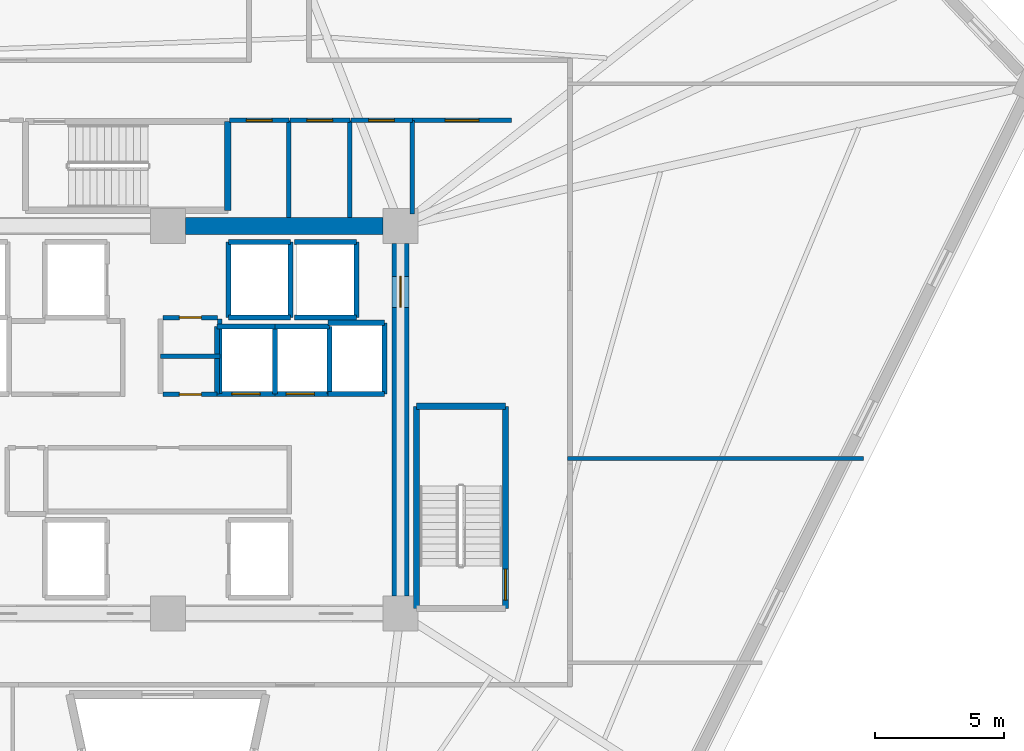
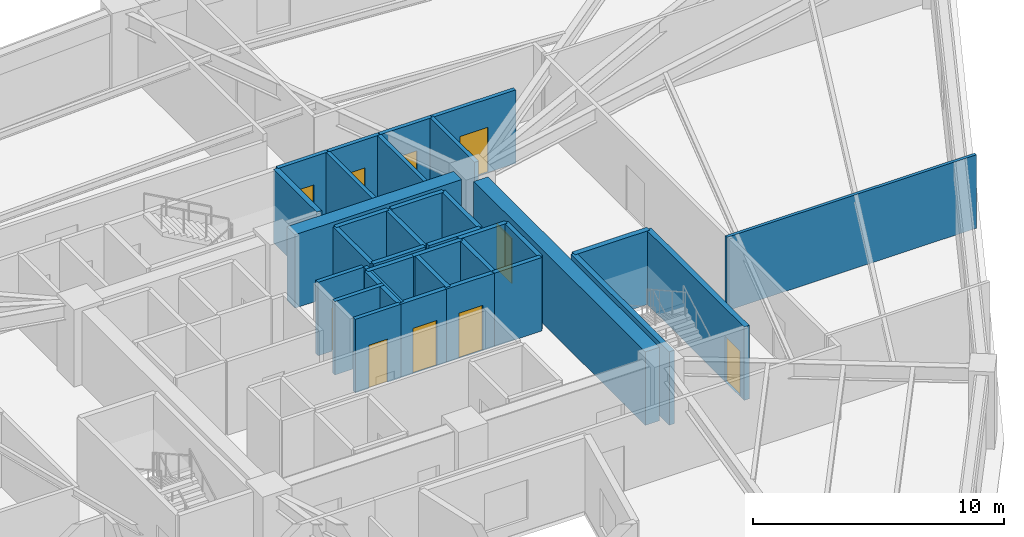
# One storey, part 6 of 8: 35 walls, 10 doors, 10 openings.
"""IFC4 building model written with IfcOpenShell, lengths in metres."""

from ifc_helpers import new_model, si_unit, direction, frame, frame_2d, origin, place, context, subcontext, project, spatial, rectangle, extrude, source, transform, mapped, material, layer, layer_set, type_object, element, fill, save


model = new_model("IFC4")

# Units and contexts
model_context = context("Model", 3, precision=1e-05, world=origin(), true_north=direction((0.0, 1.0)))
body_context = subcontext(model_context, "Body", "Model", "MODEL_VIEW")
ifc_project = project(units=[si_unit("LENGTHUNIT", "METRE"), si_unit("AREAUNIT", "SQUARE_METRE"), si_unit("VOLUMEUNIT", "CUBIC_METRE"), si_unit("PLANEANGLEUNIT", "RADIAN"), si_unit("MASSUNIT", "GRAM", prefix="KILO")], contexts=[model_context])

# Site, building, storey
site_placement = place(None, origin())
site = spatial("IfcSite", under=ifc_project, at=site_placement, CompositionType="ELEMENT")
building_placement = place(site_placement, origin())
building = spatial("IfcBuilding", under=site, at=building_placement, Name="Liaohun Quay Tower", CompositionType="ELEMENT")
storey_placement = place(building_placement, frame((0.0, 0.0, 220.5)))
storey = spatial("IfcBuildingStorey", under=building, at=storey_placement, Name="L57", CompositionType="ELEMENT", Elevation=220.5)

# Wall
ifc_material_1 = material(Name="Concrete C55", Category="concrete")
ifc_layer_1 = layer(ifc_material_1, 0.64990234375, Name="Concrete C55", Category="concrete")
ifc_layer_set_1 = layer_set([ifc_layer_1], Name="Concrete C55")
wall_type_1 = type_object("IfcWallType", Name="WAL-COR-Z3", PredefinedType="SHEAR", material=ifc_layer_set_1)
wall_1_placement = place(storey_placement, frame((60.675048828125, 61.5, 0.0), z_axis=(0.0, 0.0, 1.0), x_axis=(1.0, 0.0, 0.0)))
element("IfcWall", 1, at=wall_1_placement, inside=storey, type_object=wall_type_1, Name="L57 Central Core Shear Wall N-E", PredefinedType="SHEAR", context=body_context, shape_type="SweptSolid", body=[
    extrude(rectangle(XDim=7.64990234375, YDim=0.64990234375, at=frame_2d((3.824951171875, 0.0))), origin(), (0.0, 0.0, 1.0), 3.570068359375),
])

# Wall, opening, door
wall_2_placement = place(storey_placement, frame((69.0, 60.824951171875, 0.0), z_axis=(0.0, 0.0, 1.0), x_axis=(0.0, -1.0, 0.0)))
wall_2 = element("IfcWall", 2, at=wall_2_placement, inside=storey, type_object=wall_type_1, Name="L57 Central Core Shear Wall E", PredefinedType="SHEAR", context=body_context, shape_type="SweptSolid", body=[
    extrude(rectangle(XDim=13.64990234375, YDim=0.64990234375, at=frame_2d((6.824951171875, 0.0))), origin(), (0.0, 0.0, 1.0), 3.570068359375),
])
shared_shape_1 = source(origin(), body_context, "Body", "SweptSolid", [
    extrude(rectangle(XDim=1.199951171875, YDim=2.199951171875, at=frame_2d((0.60009765625, 1.10009765625))), frame((0.0, 0.3349609375, 0.0), z_axis=(0.0, -1.0, 0.0), x_axis=(1.0, 0.0, 0.0)), (0.0, 0.0, 1.0), 0.669921875),
])
opening_1_placement = place(wall_2_placement, frame((1.27490234375, 0.0, 0.0)))
opening_1 = element("IfcOpeningElement", 3, at=opening_1_placement, cuts=wall_2, Name="Opening SD1", PredefinedType="OPENING", context=body_context, shape_type="MappedRepresentation", body=[
    mapped(shared_shape_1, transform((0.0, 0.0, 0.0), x_axis=(1.0, 0.0, 0.0), y_axis=(0.0, 1.0, 0.0), z_axis=(0.0, 0.0, 1.0), scale=1.0)),
])
ifc_material_2 = material(Name="Galvanised steel fire door", Category="steel")
door_type_1 = type_object("IfcDoorType", Name="DOR-STR-1200", OperationType="NOTDEFINED", PredefinedType="DOOR", material=ifc_material_2)
shared_shape_2 = source(origin(), body_context, "Body", "SweptSolid", [
    extrude(rectangle(XDim=1.199951171875, YDim=2.199951171875, at=frame_2d((0.60009765625, 1.10009765625))), frame((0.0, 0.02490234375, 0.0), z_axis=(0.0, -1.0, 0.0), x_axis=(1.0, 0.0, 0.0)), (0.0, 0.0, 1.0), 0.050048828125),
])
door_1_placement = place(opening_1_placement, origin())
door_1 = element("IfcDoor", 4, at=door_1_placement, inside=storey, type_object=door_type_1, Name="L57 North-East Core Lobby Smokeproof Door", OperationType="SINGLE_SWING_LEFT", OverallHeight=2.199951171875, OverallWidth=1.199951171875, PredefinedType="DOOR", context=body_context, shape_type="MappedRepresentation", body=[
    mapped(shared_shape_2, transform((0.0, 0.0, 0.0), x_axis=(1.0, 0.0, 0.0), y_axis=(0.0, 1.0, 0.0), z_axis=(0.0, 0.0, 1.0), scale=1.0)),
])
fill(opening_1, door_1)

ifc_material_3 = material(Name="Autoclaved aerated concrete blockwork", Category="masonry")
ifc_layer_2 = layer(ifc_material_3, 0.179931640625, Name="Autoclaved aerated concrete blockwork", Category="masonry")
ifc_layer_set_2 = layer_set([ifc_layer_2], Name="Autoclaved aerated concrete blockwork")
wall_type_2 = type_object("IfcWallType", Name="WAL-PRT-COR", PredefinedType="PARTITIONING", material=ifc_layer_set_2)
wall_3_placement = place(storey_placement, frame((59.81005859375, 54.97998046875, 0.0), z_axis=(0.0, 0.0, 1.0), x_axis=(1.0, 0.0, 0.0)))
wall_3 = element("IfcWall", 5, at=wall_3_placement, inside=storey, type_object=wall_type_2, Name="L57 Interior Partition Wall 003", PredefinedType="PARTITIONING", context=body_context, shape_type="SweptSolid", body=[
    extrude(rectangle(XDim=2.08984375, YDim=0.179931640625, at=frame_2d((1.044921875, 0.0))), origin(), (0.0, 0.0, 1.0), 3.570068359375),
])
shared_shape_3 = source(origin(), body_context, "Body", "SweptSolid", [
    extrude(rectangle(XDim=0.85009765625, YDim=2.10009765625, at=frame_2d((0.425048828125, 1.050048828125))), frame((0.0, 0.099853515625, 0.0), z_axis=(0.0, -1.0, 0.0), x_axis=(1.0, 0.0, 0.0)), (0.0, 0.0, 1.0), 0.199951171875),
])
opening_2_placement = place(wall_3_placement, frame((0.635009765625, 0.0, 0.0)))
opening_2 = element("IfcOpeningElement", 6, at=opening_2_placement, cuts=wall_3, Name="Opening AD1", PredefinedType="OPENING", context=body_context, shape_type="MappedRepresentation", body=[
    mapped(shared_shape_3, transform((0.0, 0.0, 0.0), x_axis=(1.0, 0.0, 0.0), y_axis=(0.0, 1.0, 0.0), z_axis=(0.0, 0.0, 1.0), scale=1.0)),
])
ifc_material_4 = material(Name="Steel riser inspection fire door", Category="steel")
door_type_2 = type_object("IfcDoorType", Name="DOR-SHF-850", OperationType="NOTDEFINED", PredefinedType="DOOR", material=ifc_material_4)
shared_shape_4 = source(origin(), body_context, "Body", "SweptSolid", [
    extrude(rectangle(XDim=0.85009765625, YDim=2.10009765625, at=frame_2d((0.425048828125, 1.050048828125))), frame((0.0, 0.02490234375, 0.0), z_axis=(0.0, -1.0, 0.0), x_axis=(1.0, 0.0, 0.0)), (0.0, 0.0, 1.0), 0.050048828125),
])
door_2_placement = place(opening_2_placement, origin())
door_2 = element("IfcDoor", 7, at=door_2_placement, inside=storey, type_object=door_type_2, Name="L57 Electrical Riser Room Door", OperationType="SINGLE_SWING_RIGHT", OverallHeight=2.10009765625, OverallWidth=0.85009765625, PredefinedType="DOOR", context=body_context, shape_type="MappedRepresentation", body=[
    mapped(shared_shape_4, transform((0.0, 0.0, 0.0), x_axis=(1.0, 0.0, 0.0), y_axis=(0.0, 1.0, 0.0), z_axis=(0.0, 0.0, 1.0), scale=1.0)),
])
fill(opening_2, door_2)

wall_4_placement = place(storey_placement, frame((59.81005859375, 57.949951171875, 0.0), z_axis=(0.0, 0.0, 1.0), x_axis=(1.0, 0.0, 0.0)))
wall_4 = element("IfcWall", 8, at=wall_4_placement, inside=storey, type_object=wall_type_2, Name="L57 Interior Partition Wall 004", PredefinedType="PARTITIONING", context=body_context, shape_type="SweptSolid", body=[
    extrude(rectangle(XDim=2.10986328125, YDim=0.179931640625, at=frame_2d((1.054931640625, 0.0))), origin(), (0.0, 0.0, 1.0), 3.570068359375),
])
opening_3_placement = place(wall_4_placement, frame((0.635009765625, 0.0, 0.0)))
opening_3 = element("IfcOpeningElement", 9, at=opening_3_placement, cuts=wall_4, Name="Opening AD1", PredefinedType="OPENING", context=body_context, shape_type="MappedRepresentation", body=[
    mapped(shared_shape_3, transform((0.0, 0.0, 0.0), x_axis=(1.0, 0.0, 0.0), y_axis=(0.0, 1.0, 0.0), z_axis=(0.0, 0.0, 1.0), scale=1.0)),
])
door_3_placement = place(opening_3_placement, origin())
door_3 = element("IfcDoor", 10, at=door_3_placement, inside=storey, type_object=door_type_2, Name="L57 Telecom Comms Closet Door", OperationType="SINGLE_SWING_LEFT", OverallHeight=2.10009765625, OverallWidth=0.85009765625, PredefinedType="DOOR", context=body_context, shape_type="MappedRepresentation", body=[
    mapped(shared_shape_4, transform((0.0, 0.0, 0.0), x_axis=(1.0, 0.0, 0.0), y_axis=(0.0, 1.0, 0.0), z_axis=(0.0, 0.0, 1.0), scale=1.0)),
])
fill(opening_3, door_3)

wall_5_placement = place(storey_placement, frame((62.389892578125, 65.580078125, 0.0), z_axis=(0.0, 0.0, 1.0), x_axis=(1.0, 0.0, 0.0)))
wall_5 = element("IfcWall", 11, at=wall_5_placement, inside=storey, type_object=wall_type_2, Name="L57 Interior Partition Wall 011", PredefinedType="PARTITIONING", context=body_context, shape_type="SweptSolid", body=[
    extrude(rectangle(XDim=2.2900390625, YDim=0.179931640625, at=frame_2d((1.14501953125, 0.0))), origin(), (0.0, 0.0, 1.0), 3.570068359375),
])
shared_shape_5 = source(origin(), body_context, "Body", "SweptSolid", [
    extrude(rectangle(XDim=1.0, YDim=2.199951171875, at=frame_2d((0.5, 1.10009765625))), frame((0.0, 0.099853515625, 0.0), z_axis=(0.0, -1.0, 0.0), x_axis=(1.0, 0.0, 0.0)), (0.0, 0.0, 1.0), 0.199951171875),
])
opening_4_placement = place(wall_5_placement, frame((0.64501953125, 0.0, 0.0)))
opening_4 = element("IfcOpeningElement", 12, at=opening_4_placement, cuts=wall_5, Name="Opening OD1", PredefinedType="OPENING", context=body_context, shape_type="MappedRepresentation", body=[
    mapped(shared_shape_5, transform((0.0, 0.0, 0.0), x_axis=(1.0, 0.0, 0.0), y_axis=(0.0, 1.0, 0.0), z_axis=(0.0, 0.0, 1.0), scale=1.0)),
])
ifc_material_5 = material(Name="Solid-core oak veneer timber leaf in steel frame", Category="steel")
door_type_3 = type_object("IfcDoorType", Name="DOR-OFF-1000", OperationType="NOTDEFINED", PredefinedType="DOOR", material=ifc_material_5)
shared_shape_6 = source(origin(), body_context, "Body", "SweptSolid", [
    extrude(rectangle(XDim=1.0, YDim=2.199951171875, at=frame_2d((0.5, 1.10009765625))), frame((0.0, 0.02490234375, 0.0), z_axis=(0.0, -1.0, 0.0), x_axis=(1.0, 0.0, 0.0)), (0.0, 0.0, 1.0), 0.050048828125),
])
door_4_placement = place(opening_4_placement, origin())
door_4 = element("IfcDoor", 13, at=door_4_placement, inside=storey, type_object=door_type_3, Name="L57 North-East Mail Store Door", OperationType="SINGLE_SWING_RIGHT", OverallHeight=2.199951171875, OverallWidth=1.0, PredefinedType="DOOR", context=body_context, shape_type="MappedRepresentation", body=[
    mapped(shared_shape_6, transform((0.0, 0.0, 0.0), x_axis=(1.0, 0.0, 0.0), y_axis=(0.0, 1.0, 0.0), z_axis=(0.0, 0.0, 1.0), scale=1.0)),
])
fill(opening_4, door_4)

wall_6_placement = place(storey_placement, frame((64.719970703125, 65.580078125, 0.0), z_axis=(0.0, 0.0, 1.0), x_axis=(1.0, 0.0, 0.0)))
wall_6 = element("IfcWall", 14, at=wall_6_placement, inside=storey, type_object=wall_type_2, Name="L57 Interior Partition Wall 012", PredefinedType="PARTITIONING", context=body_context, shape_type="SweptSolid", body=[
    extrude(rectangle(XDim=2.320068359375, YDim=0.179931640625, at=frame_2d((1.16015625, 0.0))), origin(), (0.0, 0.0, 1.0), 3.570068359375),
])
opening_5_placement = place(wall_6_placement, frame((0.659912109375, 0.0, 0.0)))
opening_5 = element("IfcOpeningElement", 15, at=opening_5_placement, cuts=wall_6, Name="Opening OD1", PredefinedType="OPENING", context=body_context, shape_type="MappedRepresentation", body=[
    mapped(shared_shape_5, transform((0.0, 0.0, 0.0), x_axis=(1.0, 0.0, 0.0), y_axis=(0.0, 1.0, 0.0), z_axis=(0.0, 0.0, 1.0), scale=1.0)),
])
door_5_placement = place(opening_5_placement, origin())
door_5 = element("IfcDoor", 16, at=door_5_placement, inside=storey, type_object=door_type_3, Name="L57 North-East Comms Room Door", OperationType="SINGLE_SWING_LEFT", OverallHeight=2.199951171875, OverallWidth=1.0, PredefinedType="DOOR", context=body_context, shape_type="MappedRepresentation", body=[
    mapped(shared_shape_6, transform((0.0, 0.0, 0.0), x_axis=(1.0, 0.0, 0.0), y_axis=(0.0, 1.0, 0.0), z_axis=(0.0, 0.0, 1.0), scale=1.0)),
])
fill(opening_5, door_5)

wall_7_placement = place(storey_placement, frame((67.080078125, 65.580078125, 0.0), z_axis=(0.0, 0.0, 1.0), x_axis=(1.0, 0.0, 0.0)))
wall_7 = element("IfcWall", 17, at=wall_7_placement, inside=storey, type_object=wall_type_2, Name="L57 Interior Partition Wall 013", PredefinedType="PARTITIONING", context=body_context, shape_type="SweptSolid", body=[
    extrude(rectangle(XDim=2.3798828125, YDim=0.179931640625, at=frame_2d((1.18994140625, 0.0))), origin(), (0.0, 0.0, 1.0), 3.570068359375),
])
opening_6_placement = place(wall_7_placement, frame((0.68994140625, 0.0, 0.0)))
opening_6 = element("IfcOpeningElement", 18, at=opening_6_placement, cuts=wall_7, Name="Opening OD1", PredefinedType="OPENING", context=body_context, shape_type="MappedRepresentation", body=[
    mapped(shared_shape_5, transform((0.0, 0.0, 0.0), x_axis=(1.0, 0.0, 0.0), y_axis=(0.0, 1.0, 0.0), z_axis=(0.0, 0.0, 1.0), scale=1.0)),
])
door_6_placement = place(opening_6_placement, origin())
door_6 = element("IfcDoor", 19, at=door_6_placement, inside=storey, type_object=door_type_3, Name="L57 North-East Cleaner Store Door", OperationType="SINGLE_SWING_RIGHT", OverallHeight=2.199951171875, OverallWidth=1.0, PredefinedType="DOOR", context=body_context, shape_type="MappedRepresentation", body=[
    mapped(shared_shape_6, transform((0.0, 0.0, 0.0), x_axis=(1.0, 0.0, 0.0), y_axis=(0.0, 1.0, 0.0), z_axis=(0.0, 0.0, 1.0), scale=1.0)),
])
fill(opening_6, door_6)

wall_8_placement = place(storey_placement, frame((69.4599609375, 65.580078125, 0.0), z_axis=(0.0, 0.0, 1.0), x_axis=(1.0, 0.0, 0.0)))
wall_8 = element("IfcWall", 20, at=wall_8_placement, inside=storey, type_object=wall_type_2, Name="L57 Interior Partition Wall 015", PredefinedType="PARTITIONING", context=body_context, shape_type="SweptSolid", body=[
    extrude(rectangle(XDim=3.840087890625, YDim=0.179931640625, at=frame_2d((1.919921875, 0.0))), origin(), (0.0, 0.0, 1.0), 3.570068359375),
])
shared_shape_7 = source(origin(), body_context, "Body", "SweptSolid", [
    extrude(rectangle(XDim=1.300048828125, YDim=2.199951171875, at=frame_2d((0.64990234375, 1.10009765625))), frame((0.0, 0.099853515625, 0.0), z_axis=(0.0, -1.0, 0.0), x_axis=(1.0, 0.0, 0.0)), (0.0, 0.0, 1.0), 0.199951171875),
])
opening_7_placement = place(wall_8_placement, frame((1.27001953125, 0.0, 0.0)))
opening_7 = element("IfcOpeningElement", 21, at=opening_7_placement, cuts=wall_8, Name="Opening FD1", PredefinedType="OPENING", context=body_context, shape_type="MappedRepresentation", body=[
    mapped(shared_shape_7, transform((0.0, 0.0, 0.0), x_axis=(1.0, 0.0, 0.0), y_axis=(0.0, 1.0, 0.0), z_axis=(0.0, 0.0, 1.0), scale=1.0)),
])
ifc_material_6 = material(Name="Galvanised steel smokeproof fire door", Category="steel")
door_type_4 = type_object("IfcDoorType", Name="DOR-FFL-1300", OperationType="NOTDEFINED", PredefinedType="DOOR", material=ifc_material_6)
shared_shape_8 = source(origin(), body_context, "Body", "SweptSolid", [
    extrude(rectangle(XDim=1.300048828125, YDim=2.199951171875, at=frame_2d((0.64990234375, 1.10009765625))), frame((0.0, 0.02490234375, 0.0), z_axis=(0.0, -1.0, 0.0), x_axis=(1.0, 0.0, 0.0)), (0.0, 0.0, 1.0), 0.050048828125),
])
door_7_placement = place(opening_7_placement, origin())
door_7 = element("IfcDoor", 22, at=door_7_placement, inside=storey, type_object=door_type_4, Name="L57 East Core Vestibule Door", OperationType="SINGLE_SWING_RIGHT", OverallHeight=2.199951171875, OverallWidth=1.300048828125, PredefinedType="DOOR", context=body_context, shape_type="MappedRepresentation", body=[
    mapped(shared_shape_8, transform((0.0, 0.0, 0.0), x_axis=(1.0, 0.0, 0.0), y_axis=(0.0, 1.0, 0.0), z_axis=(0.0, 0.0, 1.0), scale=1.0)),
])
fill(opening_7, door_7)

# Walls
wall_9_placement = place(storey_placement, frame((62.010009765625, 55.02001953125, 0.0), z_axis=(0.0, 0.0, 1.0), x_axis=(0.0, 1.0, 0.0)))
element("IfcWall", 23, at=wall_9_placement, inside=storey, type_object=wall_type_2, Name="L57 Interior Partition Wall 025", PredefinedType="PARTITIONING", context=body_context, shape_type="SweptSolid", body=[
    extrude(rectangle(XDim=2.8798828125, YDim=0.179931640625, at=frame_2d((1.43994140625, 0.0))), origin(), (0.0, 0.0, 1.0), 3.570068359375),
])
wall_10_placement = place(storey_placement, frame((59.719970703125, 56.4599609375, 0.0), z_axis=(0.0, 0.0, 1.0), x_axis=(1.0, 0.0, 0.0)))
element("IfcWall", 24, at=wall_10_placement, inside=storey, type_object=wall_type_2, Name="L57 Interior Partition Wall 026", PredefinedType="PARTITIONING", context=body_context, shape_type="SweptSolid", body=[
    extrude(rectangle(XDim=2.2900390625, YDim=0.179931640625, at=frame_2d((1.14501953125, 0.0))), origin(), (0.0, 0.0, 1.0), 3.570068359375),
])
for number, where, z_axis, x_axis, name in (
    (25, (64.679931640625, 61.824951171875, 0.0), (0.0, 0.0, 1.0), (0.0, 1.0, 0.0), "L57 Interior Partition Wall 037"),
    (26, (67.0400390625, 61.824951171875, 0.0), (0.0, 0.0, 1.0), (0.0, 1.0, 0.0), "L57 Interior Partition Wall 038"),
):
    element("IfcWall", number, at=place(storey_placement, frame(where, z_axis=z_axis, x_axis=x_axis)), inside=storey, type_object=wall_type_2, Name=name, PredefinedType="PARTITIONING", context=body_context, shape_type="SweptSolid", body=[
        extrude(rectangle(XDim=3.755126953125, YDim=0.179931640625, at=frame_2d((1.87744140625, 0.0))), origin(), (0.0, 0.0, 1.0), 3.570068359375),
    ])
wall_11_placement = place(storey_placement, frame((69.4599609375, 61.949951171875, 0.0), z_axis=(0.0, 0.0, 1.0), x_axis=(0.0, 1.0, 0.0)))
element("IfcWall", 27, at=wall_11_placement, inside=storey, type_object=wall_type_2, Name="L57 Interior Partition Wall 039", PredefinedType="PARTITIONING", context=body_context, shape_type="SweptSolid", body=[
    extrude(rectangle(XDim=3.630126953125, YDim=0.179931640625, at=frame_2d((1.81494140625, 0.0))), origin(), (0.0, 0.0, 1.0), 3.570068359375),
])
ifc_material_7 = material(Name="Gypsum board on twin steel studs", Category="steel")
ifc_layer_3 = layer(ifc_material_7, 0.139892578125, Name="Gypsum board on twin steel studs", Category="steel")
ifc_layer_set_3 = layer_set([ifc_layer_3], Name="Gypsum board on twin steel studs")
wall_type_3 = type_object("IfcWallType", Name="WAL-PRT-OFF", PredefinedType="PARTITIONING", material=ifc_layer_set_3)
wall_12_placement = place(storey_placement, frame((75.4599609375, 52.5, 0.0), z_axis=(0.0, 0.0, 1.0), x_axis=(1.0, 0.0, 0.0)))
element("IfcWall", 28, at=wall_12_placement, inside=storey, type_object=wall_type_3, Name="L57 Interior Partition Wall 052", PredefinedType="PARTITIONING", context=body_context, shape_type="SweptSolid", body=[
    extrude(rectangle(XDim=11.4521484375, YDim=0.139892578125, at=frame_2d((5.72607421875, 0.0))), origin(), (0.0, 0.0, 1.0), 3.570068359375),
])

# Wall, opening, door
ifc_material_8 = material(Name="Concrete C50", Category="concrete")
ifc_layer_4 = layer(ifc_material_8, 0.239990234375, Name="Concrete C50", Category="concrete")
ifc_layer_set_4 = layer_set([ifc_layer_4], Name="Concrete C50")
wall_type_4 = type_object("IfcWallType", Name="WAL-SHF-200", PredefinedType="SOLIDWALL", material=ifc_layer_set_4)
wall_13_placement = place(storey_placement, frame((73.06005859375, 46.699951171875, 0.0), z_axis=(0.0, 0.0, 1.0), x_axis=(0.0, 1.0, 0.0)))
wall_13 = element("IfcWall", 29, at=wall_13_placement, inside=storey, type_object=wall_type_4, Name="L57 Stairwell ST-2 Structural Core Wall E", PredefinedType="SOLIDWALL", context=body_context, shape_type="SweptSolid", body=[
    extrude(rectangle(XDim=7.820068359375, YDim=0.239990234375, at=frame_2d((3.91015625, 0.0))), origin(), (0.0, 0.0, 1.0), 3.570068359375),
])
shared_shape_9 = source(origin(), body_context, "Body", "SweptSolid", [
    extrude(rectangle(XDim=1.199951171875, YDim=2.199951171875, at=frame_2d((0.60009765625, 1.10009765625))), frame((0.0, 0.1298828125, 0.0), z_axis=(0.0, -1.0, 0.0), x_axis=(1.0, 0.0, 0.0)), (0.0, 0.0, 1.0), 0.260009765625),
])
opening_8_placement = place(wall_13_placement, frame((0.320068359375, 0.0, 0.0)))
opening_8 = element("IfcOpeningElement", 30, at=opening_8_placement, cuts=wall_13, Name="Opening SD1", PredefinedType="OPENING", context=body_context, shape_type="MappedRepresentation", body=[
    mapped(shared_shape_9, transform((0.0, 0.0, 0.0), x_axis=(1.0, 0.0, 0.0), y_axis=(0.0, 1.0, 0.0), z_axis=(0.0, 0.0, 1.0), scale=1.0)),
])
door_8_placement = place(opening_8_placement, origin())
door_8 = element("IfcDoor", 31, at=door_8_placement, inside=storey, type_object=door_type_1, Name="L57 Protected Stair ST-2 Fire Door", OperationType="SINGLE_SWING_RIGHT", OverallHeight=2.199951171875, OverallWidth=1.199951171875, PredefinedType="DOOR", context=body_context, shape_type="MappedRepresentation", body=[
    mapped(shared_shape_2, transform((0.0, 0.0, 0.0), x_axis=(1.0, 0.0, 0.0), y_axis=(0.0, 1.0, 0.0), z_axis=(0.0, 0.0, 1.0), scale=1.0)),
])
fill(opening_8, door_8)

# Walls
wall_14_placement = place(storey_placement, frame((73.06005859375, 54.52001953125, 0.0), z_axis=(0.0, 0.0, 1.0), x_axis=(-1.0, 0.0, 0.0)))
element("IfcWall", 32, at=wall_14_placement, inside=storey, type_object=wall_type_4, Name="L57 Stairwell ST-2 Structural Core Wall N", PredefinedType="SOLIDWALL", context=body_context, shape_type="SweptSolid", body=[
    extrude(rectangle(XDim=3.43994140625, YDim=0.239990234375, at=frame_2d((1.719970703125, 0.0))), origin(), (0.0, 0.0, 1.0), 3.570068359375),
])
wall_15_placement = place(storey_placement, frame((69.6201171875, 54.52001953125, 0.0), z_axis=(0.0, 0.0, 1.0), x_axis=(0.0, -1.0, 0.0)))
element("IfcWall", 33, at=wall_15_placement, inside=storey, type_object=wall_type_4, Name="L57 Stairwell ST-2 Structural Core Wall W", PredefinedType="SOLIDWALL", context=body_context, shape_type="SweptSolid", body=[
    extrude(rectangle(XDim=7.820068359375, YDim=0.239990234375, at=frame_2d((3.91015625, 0.0))), origin(), (0.0, 0.0, 1.0), 3.570068359375),
])
wall_16_placement = place(storey_placement, frame((62.320068359375, 62.10009765625, 0.0), z_axis=(0.0, 0.0, 1.0), x_axis=(0.0, 1.0, 0.0)))
element("IfcWall", 34, at=wall_16_placement, inside=storey, type_object=wall_type_4, Name="L57 Stairwell ST-3 Structural Core Wall E", PredefinedType="SOLIDWALL", context=body_context, shape_type="SweptSolid", body=[
    extrude(rectangle(XDim=3.43994140625, YDim=0.239990234375, at=frame_2d((1.719970703125, 0.0))), origin(), (0.0, 0.0, 1.0), 3.570068359375),
])
wall_17_placement = place(storey_placement, frame((62.35009765625, 57.949951171875, 0.0), z_axis=(0.0, 0.0, 1.0), x_axis=(1.0, 0.0, 0.0)))
element("IfcWall", 35, at=wall_17_placement, inside=storey, type_object=wall_type_4, Name="L57 Lift OB-01 Hoistway Wall S", PredefinedType="SOLIDWALL", context=body_context, shape_type="SweptSolid", body=[
    extrude(rectangle(XDim=2.39990234375, YDim=0.199951171875, at=frame_2d((1.199951171875, 0.0))), origin(), (0.0, 0.0, 1.0), 3.570068359375),
])
wall_18_placement = place(storey_placement, frame((64.75, 57.949951171875, 0.0), z_axis=(0.0, 0.0, 1.0), x_axis=(0.0, 1.0, 0.0)))
element("IfcWall", 36, at=wall_18_placement, inside=storey, type_object=wall_type_4, Name="L57 Lift OB-01 Hoistway Wall E", PredefinedType="SOLIDWALL", context=body_context, shape_type="SweptSolid", body=[
    extrude(rectangle(XDim=2.929931640625, YDim=0.199951171875, at=frame_2d((1.46484375, 0.0))), origin(), (0.0, 0.0, 1.0), 3.570068359375),
])
wall_19_placement = place(storey_placement, frame((64.75, 60.8798828125, 0.0), z_axis=(0.0, 0.0, 1.0), x_axis=(-1.0, 0.0, 0.0)))
element("IfcWall", 37, at=wall_19_placement, inside=storey, type_object=wall_type_4, Name="L57 Lift OB-01 Hoistway Wall N", PredefinedType="SOLIDWALL", context=body_context, shape_type="SweptSolid", body=[
    extrude(rectangle(XDim=2.39990234375, YDim=0.199951171875, at=frame_2d((1.199951171875, 0.0))), origin(), (0.0, 0.0, 1.0), 3.570068359375),
])
wall_20_placement = place(storey_placement, frame((62.35009765625, 60.8798828125, 0.0), z_axis=(0.0, 0.0, 1.0), x_axis=(0.0, -1.0, 0.0)))
element("IfcWall", 38, at=wall_20_placement, inside=storey, type_object=wall_type_4, Name="L57 Lift OB-01 Hoistway Wall W", PredefinedType="SOLIDWALL", context=body_context, shape_type="SweptSolid", body=[
    extrude(rectangle(XDim=2.929931640625, YDim=0.199951171875, at=frame_2d((1.46484375, 0.0))), origin(), (0.0, 0.0, 1.0), 3.570068359375),
])
wall_21_placement = place(storey_placement, frame((64.89990234375, 57.949951171875, 0.0), z_axis=(0.0, 0.0, 1.0), x_axis=(1.0, 0.0, 0.0)))
element("IfcWall", 39, at=wall_21_placement, inside=storey, type_object=wall_type_4, Name="L57 Lift OB-02 Hoistway Wall S", PredefinedType="SOLIDWALL", context=body_context, shape_type="SweptSolid", body=[
    extrude(rectangle(XDim=2.400146484375, YDim=0.199951171875, at=frame_2d((1.2001953125, 0.0))), origin(), (0.0, 0.0, 1.0), 3.570068359375),
])
wall_22_placement = place(storey_placement, frame((67.300048828125, 57.949951171875, 0.0), z_axis=(0.0, 0.0, 1.0), x_axis=(0.0, 1.0, 0.0)))
element("IfcWall", 40, at=wall_22_placement, inside=storey, type_object=wall_type_4, Name="L57 Lift OB-02 Hoistway Wall E", PredefinedType="SOLIDWALL", context=body_context, shape_type="SweptSolid", body=[
    extrude(rectangle(XDim=2.929931640625, YDim=0.199951171875, at=frame_2d((1.46484375, 0.0))), origin(), (0.0, 0.0, 1.0), 3.570068359375),
])
wall_23_placement = place(storey_placement, frame((67.300048828125, 60.8798828125, 0.0), z_axis=(0.0, 0.0, 1.0), x_axis=(-1.0, 0.0, 0.0)))
element("IfcWall", 41, at=wall_23_placement, inside=storey, type_object=wall_type_4, Name="L57 Lift OB-02 Hoistway Wall N", PredefinedType="SOLIDWALL", context=body_context, shape_type="SweptSolid", body=[
    extrude(rectangle(XDim=2.400146484375, YDim=0.199951171875, at=frame_2d((1.2001953125, 0.0))), origin(), (0.0, 0.0, 1.0), 3.570068359375),
])
wall_24_placement = place(storey_placement, frame((66.199951171875, 55.0, 0.0), z_axis=(0.0, 0.0, 1.0), x_axis=(1.0, 0.0, 0.0)))
element("IfcWall", 42, at=wall_24_placement, inside=storey, type_object=wall_type_4, Name="L57 Lift SH-03 Hoistway Wall S", PredefinedType="SOLIDWALL", context=body_context, shape_type="SweptSolid", body=[
    extrude(rectangle(XDim=2.179931640625, YDim=0.199951171875, at=frame_2d((1.08984375, 0.0))), origin(), (0.0, 0.0, 1.0), 3.570068359375),
])
wall_25_placement = place(storey_placement, frame((68.3798828125, 55.0, 0.0), z_axis=(0.0, 0.0, 1.0), x_axis=(0.0, 1.0, 0.0)))
element("IfcWall", 43, at=wall_25_placement, inside=storey, type_object=wall_type_4, Name="L57 Lift SH-03 Hoistway Wall E", PredefinedType="SOLIDWALL", context=body_context, shape_type="SweptSolid", body=[
    extrude(rectangle(XDim=2.75, YDim=0.199951171875, at=frame_2d((1.375, 0.0))), origin(), (0.0, 0.0, 1.0), 3.570068359375),
])
wall_26_placement = place(storey_placement, frame((68.3798828125, 57.75, 0.0), z_axis=(0.0, 0.0, 1.0), x_axis=(-1.0, 0.0, 0.0)))
element("IfcWall", 44, at=wall_26_placement, inside=storey, type_object=wall_type_4, Name="L57 Lift SH-03 Hoistway Wall N", PredefinedType="SOLIDWALL", context=body_context, shape_type="SweptSolid", body=[
    extrude(rectangle(XDim=2.179931640625, YDim=0.199951171875, at=frame_2d((1.08984375, 0.0))), origin(), (0.0, 0.0, 1.0), 3.570068359375),
])

# Wall, opening, door
wall_27_placement = place(storey_placement, frame((61.89990234375, 55.0, 0.0), z_axis=(0.0, 0.0, 1.0), x_axis=(1.0, 0.0, 0.0)))
wall_27 = element("IfcWall", 45, at=wall_27_placement, inside=storey, type_object=wall_type_4, Name="L57 Lift PL-3A Hoistway Wall S", PredefinedType="SOLIDWALL", context=body_context, shape_type="SweptSolid", body=[
    extrude(rectangle(XDim=2.25, YDim=0.199951171875, at=frame_2d((1.125, 0.0))), origin(), (0.0, 0.0, 1.0), 3.570068359375),
])
shared_shape_10 = source(origin(), body_context, "Body", "SweptSolid", [
    extrude(rectangle(XDim=1.10009765625, YDim=2.199951171875, at=frame_2d((0.550048828125, 1.10009765625))), frame((0.0, 0.10986328125, 0.0), z_axis=(0.0, -1.0, 0.0), x_axis=(1.0, 0.0, 0.0)), (0.0, 0.0, 1.0), 0.219970703125),
])
opening_9_placement = place(wall_27_placement, frame((0.574951171875, 0.0, 0.0)))
opening_9 = element("IfcOpeningElement", 46, at=opening_9_placement, cuts=wall_27, Name="Opening LD1", PredefinedType="OPENING", context=body_context, shape_type="MappedRepresentation", body=[
    mapped(shared_shape_10, transform((0.0, 0.0, 0.0), x_axis=(1.0, 0.0, 0.0), y_axis=(0.0, 1.0, 0.0), z_axis=(0.0, 0.0, 1.0), scale=1.0)),
])
ifc_material_9 = material(Name="Brushed stainless steel landing door", Category="steel")
door_type_5 = type_object("IfcDoorType", Name="DOR-LFT-1100", OperationType="SLIDING_TO_LEFT", PredefinedType="DOOR", material=ifc_material_9)
shared_shape_11 = source(origin(), body_context, "Body", "SweptSolid", [
    extrude(rectangle(XDim=1.10009765625, YDim=2.199951171875, at=frame_2d((0.550048828125, 1.10009765625))), frame((0.0, 0.02490234375, 0.0), z_axis=(0.0, -1.0, 0.0), x_axis=(1.0, 0.0, 0.0)), (0.0, 0.0, 1.0), 0.050048828125),
])
door_9_placement = place(opening_9_placement, origin())
door_9 = element("IfcDoor", 47, at=door_9_placement, inside=storey, type_object=door_type_5, Name="L57 Lift PL-3A Sliding Landing Door", OperationType="SLIDING_TO_LEFT", OverallHeight=2.199951171875, OverallWidth=1.10009765625, PredefinedType="DOOR", context=body_context, shape_type="MappedRepresentation", body=[
    mapped(shared_shape_11, transform((0.0, 0.0, 0.0), x_axis=(1.0, 0.0, 0.0), y_axis=(0.0, 1.0, 0.0), z_axis=(0.0, 0.0, 1.0), scale=1.0)),
])
fill(opening_9, door_9)

# Walls
wall_28_placement = place(storey_placement, frame((64.14990234375, 55.0, 0.0), z_axis=(0.0, 0.0, 1.0), x_axis=(0.0, 1.0, 0.0)))
element("IfcWall", 48, at=wall_28_placement, inside=storey, type_object=wall_type_4, Name="L57 Lift PL-3A Hoistway Wall E", PredefinedType="SOLIDWALL", context=body_context, shape_type="SweptSolid", body=[
    extrude(rectangle(XDim=2.60009765625, YDim=0.199951171875, at=frame_2d((1.300048828125, 0.0))), origin(), (0.0, 0.0, 1.0), 3.570068359375),
])
wall_29_placement = place(storey_placement, frame((64.14990234375, 57.60009765625, 0.0), z_axis=(0.0, 0.0, 1.0), x_axis=(-1.0, 0.0, 0.0)))
element("IfcWall", 49, at=wall_29_placement, inside=storey, type_object=wall_type_4, Name="L57 Lift PL-3A Hoistway Wall N", PredefinedType="SOLIDWALL", context=body_context, shape_type="SweptSolid", body=[
    extrude(rectangle(XDim=2.25, YDim=0.199951171875, at=frame_2d((1.125, 0.0))), origin(), (0.0, 0.0, 1.0), 3.570068359375),
])
wall_30_placement = place(storey_placement, frame((61.89990234375, 57.60009765625, 0.0), z_axis=(0.0, 0.0, 1.0), x_axis=(0.0, -1.0, 0.0)))
element("IfcWall", 50, at=wall_30_placement, inside=storey, type_object=wall_type_4, Name="L57 Lift PL-3A Hoistway Wall W", PredefinedType="SOLIDWALL", context=body_context, shape_type="SweptSolid", body=[
    extrude(rectangle(XDim=2.60009765625, YDim=0.199951171875, at=frame_2d((1.300048828125, 0.0))), origin(), (0.0, 0.0, 1.0), 3.570068359375),
])

# Wall, opening, door
wall_31_placement = place(storey_placement, frame((64.0, 55.0, 0.0), z_axis=(0.0, 0.0, 1.0), x_axis=(1.0, 0.0, 0.0)))
wall_31 = element("IfcWall", 51, at=wall_31_placement, inside=storey, type_object=wall_type_4, Name="L57 Lift PL-3B Hoistway Wall S", PredefinedType="SOLIDWALL", context=body_context, shape_type="SweptSolid", body=[
    extrude(rectangle(XDim=2.25, YDim=0.199951171875, at=frame_2d((1.125, 0.0))), origin(), (0.0, 0.0, 1.0), 3.570068359375),
])
opening_10_placement = place(wall_31_placement, frame((0.574951171875, 0.0, 0.0)))
opening_10 = element("IfcOpeningElement", 52, at=opening_10_placement, cuts=wall_31, Name="Opening LD1", PredefinedType="OPENING", context=body_context, shape_type="MappedRepresentation", body=[
    mapped(shared_shape_10, transform((0.0, 0.0, 0.0), x_axis=(1.0, 0.0, 0.0), y_axis=(0.0, 1.0, 0.0), z_axis=(0.0, 0.0, 1.0), scale=1.0)),
])
door_10_placement = place(opening_10_placement, origin())
door_10 = element("IfcDoor", 53, at=door_10_placement, inside=storey, type_object=door_type_5, Name="L57 Lift PL-3B Sliding Landing Door", OperationType="SLIDING_TO_LEFT", OverallHeight=2.199951171875, OverallWidth=1.10009765625, PredefinedType="DOOR", context=body_context, shape_type="MappedRepresentation", body=[
    mapped(shared_shape_11, transform((0.0, 0.0, 0.0), x_axis=(1.0, 0.0, 0.0), y_axis=(0.0, 1.0, 0.0), z_axis=(0.0, 0.0, 1.0), scale=1.0)),
])
fill(opening_10, door_10)

# Walls
wall_32_placement = place(storey_placement, frame((66.25, 55.0, 0.0), z_axis=(0.0, 0.0, 1.0), x_axis=(0.0, 1.0, 0.0)))
element("IfcWall", 54, at=wall_32_placement, inside=storey, type_object=wall_type_4, Name="L57 Lift PL-3B Hoistway Wall E", PredefinedType="SOLIDWALL", context=body_context, shape_type="SweptSolid", body=[
    extrude(rectangle(XDim=2.60009765625, YDim=0.199951171875, at=frame_2d((1.300048828125, 0.0))), origin(), (0.0, 0.0, 1.0), 3.570068359375),
])
wall_33_placement = place(storey_placement, frame((66.25, 57.60009765625, 0.0), z_axis=(0.0, 0.0, 1.0), x_axis=(-1.0, 0.0, 0.0)))
element("IfcWall", 55, at=wall_33_placement, inside=storey, type_object=wall_type_4, Name="L57 Lift PL-3B Hoistway Wall N", PredefinedType="SOLIDWALL", context=body_context, shape_type="SweptSolid", body=[
    extrude(rectangle(XDim=2.25, YDim=0.199951171875, at=frame_2d((1.125, 0.0))), origin(), (0.0, 0.0, 1.0), 3.570068359375),
])

save(model, "model.ifc")
